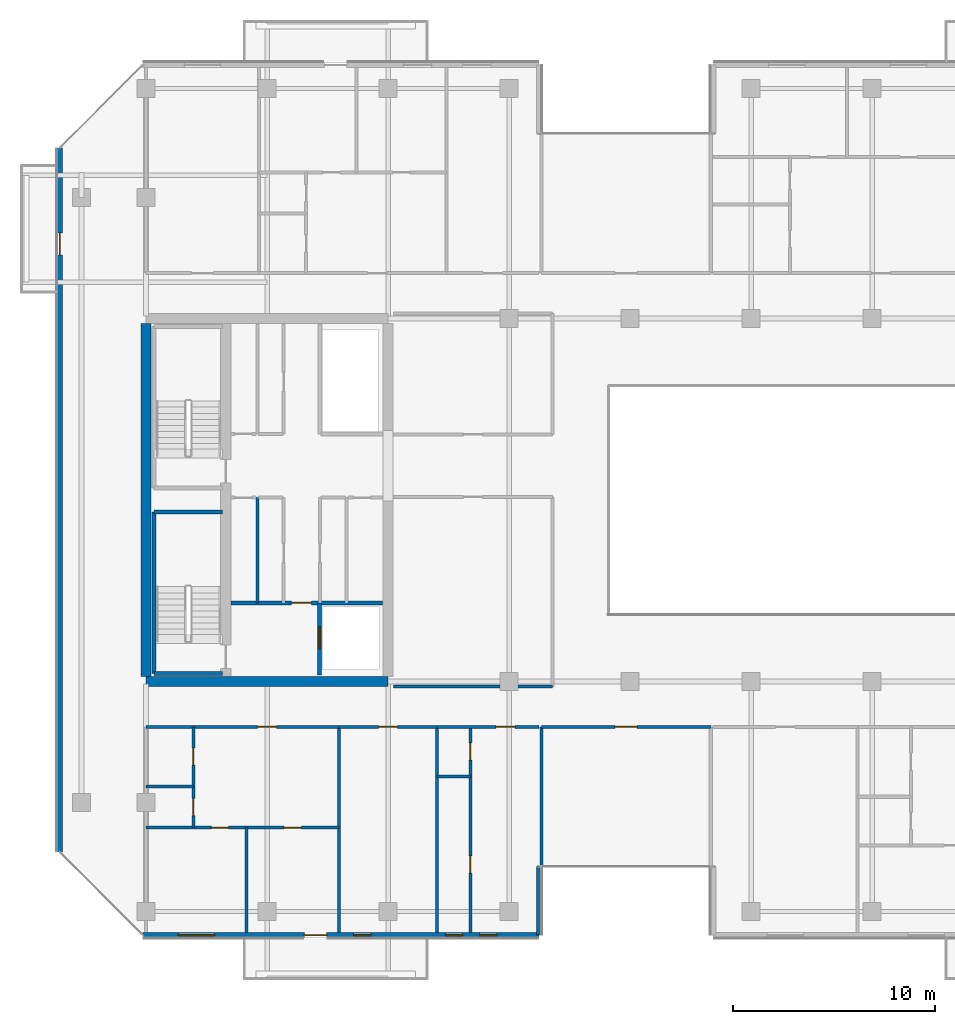
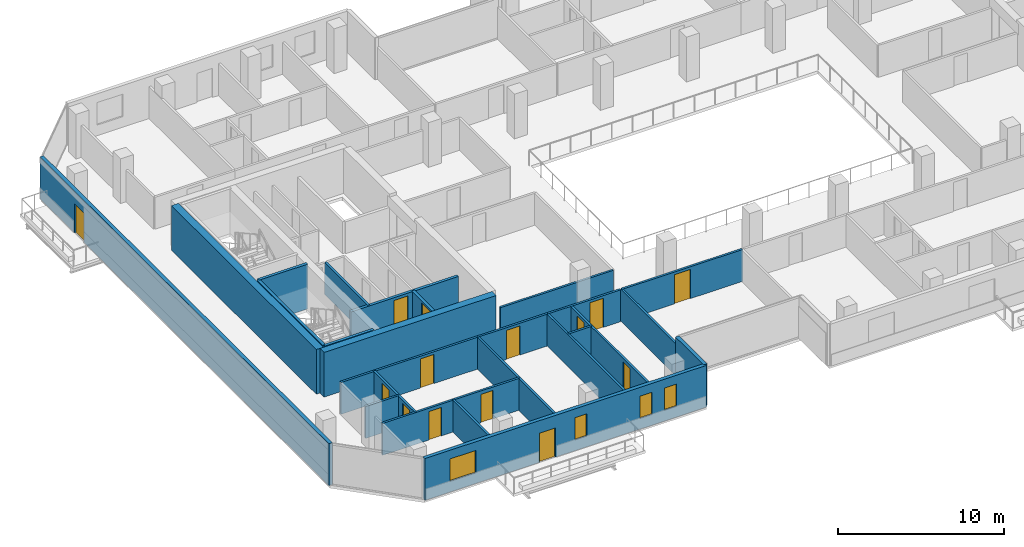
# One storey, part 19 of 29: 25 walls, 14 doors, 4 windows, 18 openings.
"""IFC4 building model written with IfcOpenShell, lengths in metres."""

from ifc_helpers import new_model, si_unit, direction, frame, frame_2d, origin, place, context, subcontext, project, spatial, rectangle, extrude, material, layer, layer_set, type_object, element, fill, save


model = new_model("IFC4")

# Units and contexts
model_context = context("Model", 3, precision=1e-05, world=origin(), true_north=direction((0.0, 1.0)))
body_context = subcontext(model_context, "Body", "Model", "MODEL_VIEW")
ifc_project = project(units=[si_unit("LENGTHUNIT", "METRE"), si_unit("AREAUNIT", "SQUARE_METRE"), si_unit("VOLUMEUNIT", "CUBIC_METRE"), si_unit("PLANEANGLEUNIT", "RADIAN"), si_unit("MASSUNIT", "GRAM", prefix="KILO")], contexts=[model_context])

# Site, building, storey
site_placement = place(None, origin())
site = spatial("IfcSite", under=ifc_project, at=site_placement, CompositionType="ELEMENT")
building_placement = place(site_placement, origin())
building = spatial("IfcBuilding", under=site, at=building_placement, Name="Tanjung Sevakor Pilgrim Tower", CompositionType="ELEMENT")
storey_placement = place(building_placement, frame((0.0, 0.0, 151.800048828125)))
storey = spatial("IfcBuildingStorey", under=building, at=storey_placement, Name="L42", CompositionType="ELEMENT", Elevation=151.800048828125)

# Walls
ifc_material_1 = material(Name="Concrete C60/75", Category="concrete")
ifc_layer_1 = layer(ifc_material_1, 0.5)
ifc_layer_set_1 = layer_set([ifc_layer_1], Name="WALL-CW-500")
wall_type_1 = type_object("IfcWallType", Name="WALL-CW-500", PredefinedType="SHEAR", material=ifc_layer_set_1)
wall_1_placement = place(storey_placement, frame((24.0, 24.60009765625, 0.0), z_axis=(0.0, 0.0, 1.0), x_axis=(1.0, 0.0, 0.0)))
element("IfcWall", 1, at=wall_1_placement, inside=storey, type_object=wall_type_1, Name="L42 W Core South Shear Wall", PredefinedType="SHEAR", context=body_context, shape_type="SweptSolid", body=[
    extrude(rectangle(XDim=12.0, YDim=0.5, at=frame_2d((6.0, 0.0))), origin(), (0.0, 0.0, 1.0), 3.300048828125),
])
wall_2_placement = place(storey_placement, frame((24.0, 24.85009765625, 0.0), z_axis=(0.0, 0.0, 1.0), x_axis=(0.0, 1.0, 0.0)))
element("IfcWall", 2, at=wall_2_placement, inside=storey, type_object=wall_type_1, Name="L42 W Core Outer Shear Wall", PredefinedType="SHEAR", context=body_context, shape_type="SweptSolid", body=[
    extrude(rectangle(XDim=17.5, YDim=0.5, at=frame_2d((8.75, 0.0))), origin(), (0.0, 0.0, 1.0), 3.300048828125),
])
ifc_material_2 = material(Name="Concrete C40/50", Category="concrete")
ifc_layer_2 = layer(ifc_material_2, 0.14990234375)
ifc_layer_set_2 = layer_set([ifc_layer_2], Name="WT-COMP-150")
wall_type_2 = type_object("IfcWallType", Name="WT-COMP-150", PredefinedType="SOLIDWALL", material=ifc_layer_set_2)
wall_3_placement = place(storey_placement, frame((29.52001953125, 28.5, 0.0), z_axis=(0.0, 0.0, 1.0), x_axis=(0.0, 1.0, 0.0)))
element("IfcWall", 3, at=wall_3_placement, inside=storey, type_object=wall_type_2, Name="L42 Partition IW-L42-003", PredefinedType="SOLIDWALL", context=body_context, shape_type="SweptSolid", body=[
    extrude(rectangle(XDim=5.219970703125, YDim=0.14990234375, at=frame_2d((2.60986328125, 0.0))), origin(), (0.0, 0.0, 1.0), 2.35009765625),
])
wall_4_placement = place(storey_placement, frame((36.27001953125, 24.35009765625, 0.0), z_axis=(0.0, 0.0, 1.0), x_axis=(1.0, 0.0, 0.0)))
element("IfcWall", 4, at=wall_4_placement, inside=storey, type_object=wall_type_2, Name="L42 Partition IW-L42-033", PredefinedType="SOLIDWALL", context=body_context, shape_type="SweptSolid", body=[
    extrude(rectangle(XDim=7.8798828125, YDim=0.14990234375, at=frame_2d((3.93994140625, 0.0))), origin(), (0.0, 0.0, 1.0), 2.35009765625),
])

# Wall, opening, door
wall_5_placement = place(storey_placement, frame((43.60009765625, 22.35009765625, 0.0), z_axis=(0.0, 0.0, 1.0), x_axis=(1.0, 0.0, 0.0)))
wall_5 = element("IfcWall", 5, at=wall_5_placement, inside=storey, type_object=wall_type_2, Name="L42 Partition IW-L42-045", PredefinedType="SOLIDWALL", context=body_context, shape_type="SweptSolid", body=[
    extrude(rectangle(XDim=8.39990234375, YDim=0.14990234375, at=frame_2d((4.199951171875, 0.0))), origin(), (0.0, 0.0, 1.0), 2.35009765625),
])
opening_1_placement = place(wall_5_placement, frame((3.64990234375, 0.0, 0.0)))
opening_1 = element("IfcOpeningElement", 6, at=opening_1_placement, cuts=wall_5, Name="Opening ID-RM2", PredefinedType="OPENING", context=body_context, shape_type="SweptSolid", body=[
    extrude(rectangle(XDim=1.10009765625, YDim=2.14990234375, at=frame_2d((0.550048828125, 1.074951171875))), frame((0.0, 0.0849609375, 0.0), z_axis=(0.0, -1.0, 0.0), x_axis=(1.0, 0.0, 0.0)), (0.0, 0.0, 1.0), 0.169921875),
])
ifc_material_3 = material(Name="Hardwood Timber", Category="wood")
door_type_1 = type_object("IfcDoorType", Name="DT-INT-1100", OperationType="NOTDEFINED", PredefinedType="DOOR", material=ifc_material_3)
door_1_placement = place(opening_1_placement, origin())
door_1 = element("IfcDoor", 7, at=door_1_placement, inside=storey, type_object=door_type_1, Name="L42 South Cleft Observatory Door", OperationType="SINGLE_SWING_LEFT", OverallHeight=2.14990234375, OverallWidth=1.10009765625, PredefinedType="DOOR", context=body_context, shape_type="SweptSolid", body=[
    extrude(rectangle(XDim=1.10009765625, YDim=2.14990234375, at=frame_2d((0.550048828125, 1.074951171875))), frame((0.0, 0.02490234375, 0.0), z_axis=(0.0, -1.0, 0.0), x_axis=(1.0, 0.0, 0.0)), (0.0, 0.0, 1.0), 0.050048828125),
])
fill(opening_1, door_1)

# Walls
for number, where, z_axis, x_axis, name in (
    (8, (43.60009765625, 12.14990234375, 0.0), (0.0, 0.0, 1.0), (0.0, 1.0, 0.0), "L42 Partition IW-L42-046"),
    (9, (33.566162109375, 12.14990234375, 0.0), (0.0, 0.0, 1.0), (0.0, 1.0, 0.0), "L42 Partition IW-L42-052"),
):
    element("IfcWall", number, at=place(storey_placement, frame(where, z_axis=z_axis, x_axis=x_axis)), inside=storey, type_object=wall_type_2, Name=name, PredefinedType="SOLIDWALL", context=body_context, shape_type="SweptSolid", body=[
        extrude(rectangle(XDim=10.2001953125, YDim=0.14990234375, at=frame_2d((5.10009765625, 0.0))), origin(), (0.0, 0.0, 1.0), 2.35009765625),
    ])

# Wall, opening, door
wall_6_placement = place(storey_placement, frame((24.0, 22.35009765625, 0.0), z_axis=(0.0, 0.0, 1.0), x_axis=(1.0, 0.0, 0.0)))
wall_6 = element("IfcWall", 10, at=wall_6_placement, inside=storey, type_object=wall_type_2, Name="L42 Partition IW-L42-057", PredefinedType="SOLIDWALL", context=body_context, shape_type="SweptSolid", body=[
    extrude(rectangle(XDim=9.566162109375, YDim=0.14990234375, at=frame_2d((4.783203125, 0.0))), origin(), (0.0, 0.0, 1.0), 2.35009765625),
])
opening_2_placement = place(wall_6_placement, frame((5.523193359375, 0.0, 0.0)))
opening_2 = element("IfcOpeningElement", 11, at=opening_2_placement, cuts=wall_6, Name="Opening ID-FD2", PredefinedType="OPENING", context=body_context, shape_type="SweptSolid", body=[
    extrude(rectangle(XDim=0.949951171875, YDim=2.14990234375, at=frame_2d((0.47509765625, 1.074951171875))), frame((0.0, 0.0849609375, 0.0), z_axis=(0.0, -1.0, 0.0), x_axis=(1.0, 0.0, 0.0)), (0.0, 0.0, 1.0), 0.169921875),
])
ifc_material_4 = material(Name="Fire-Rated Timber", Category="wood")
door_type_2 = type_object("IfcDoorType", Name="DT-FIRE-950", OperationType="NOTDEFINED", PredefinedType="DOOR", material=ifc_material_4)
door_2_placement = place(opening_2_placement, origin())
door_2 = element("IfcDoor", 12, at=door_2_placement, inside=storey, type_object=door_type_2, Name="Suite Entrance", OperationType="SINGLE_SWING_LEFT", OverallHeight=2.14990234375, OverallWidth=0.949951171875, PredefinedType="DOOR", context=body_context, shape_type="SweptSolid", body=[
    extrude(rectangle(XDim=0.949951171875, YDim=2.14990234375, at=frame_2d((0.47509765625, 1.074951171875))), frame((0.0, 0.02490234375, 0.0), z_axis=(0.0, -1.0, 0.0), x_axis=(1.0, 0.0, 0.0)), (0.0, 0.0, 1.0), 0.050048828125),
])
fill(opening_2, door_2)

# Wall
wall_7_placement = place(storey_placement, frame((38.43603515625, 12.14990234375, 0.0), z_axis=(0.0, 0.0, 1.0), x_axis=(0.0, 1.0, 0.0)))
element("IfcWall", 13, at=wall_7_placement, inside=storey, type_object=wall_type_2, Name="L42 Partition IW-L42-058", PredefinedType="SOLIDWALL", context=body_context, shape_type="SweptSolid", body=[
    extrude(rectangle(XDim=10.2001953125, YDim=0.14990234375, at=frame_2d((5.10009765625, 0.0))), origin(), (0.0, 0.0, 1.0), 2.35009765625),
])

# Wall, opening, door
wall_8_placement = place(storey_placement, frame((33.566162109375, 22.35009765625, 0.0), z_axis=(0.0, 0.0, 1.0), x_axis=(1.0, 0.0, 0.0)))
wall_8 = element("IfcWall", 14, at=wall_8_placement, inside=storey, type_object=wall_type_2, Name="L42 Partition IW-L42-059", PredefinedType="SOLIDWALL", context=body_context, shape_type="SweptSolid", body=[
    extrude(rectangle(XDim=4.869873046875, YDim=0.14990234375, at=frame_2d((2.43505859375, 0.0))), origin(), (0.0, 0.0, 1.0), 2.35009765625),
])
opening_3_placement = place(wall_8_placement, frame((1.9599609375, 0.0, 0.0)))
opening_3 = element("IfcOpeningElement", 15, at=opening_3_placement, cuts=wall_8, Name="Opening ID-FD2", PredefinedType="OPENING", context=body_context, shape_type="SweptSolid", body=[
    extrude(rectangle(XDim=0.949951171875, YDim=2.14990234375, at=frame_2d((0.47509765625, 1.074951171875))), frame((0.0, 0.0849609375, 0.0), z_axis=(0.0, -1.0, 0.0), x_axis=(1.0, 0.0, 0.0)), (0.0, 0.0, 1.0), 0.169921875),
])
door_3_placement = place(opening_3_placement, origin())
door_3 = element("IfcDoor", 16, at=door_3_placement, inside=storey, type_object=door_type_2, Name="Study Room Entrance", OperationType="SINGLE_SWING_RIGHT", OverallHeight=2.14990234375, OverallWidth=0.949951171875, PredefinedType="DOOR", context=body_context, shape_type="SweptSolid", body=[
    extrude(rectangle(XDim=0.949951171875, YDim=2.14990234375, at=frame_2d((0.47509765625, 1.074951171875))), frame((0.0, 0.02490234375, 0.0), z_axis=(0.0, -1.0, 0.0), x_axis=(1.0, 0.0, 0.0)), (0.0, 0.0, 1.0), 0.050048828125),
])
fill(opening_3, door_3)

wall_9_placement = place(storey_placement, frame((38.43603515625, 22.35009765625, 0.0), z_axis=(0.0, 0.0, 1.0), x_axis=(1.0, 0.0, 0.0)))
wall_9 = element("IfcWall", 17, at=wall_9_placement, inside=storey, type_object=wall_type_2, Name="L42 Partition IW-L42-062", PredefinedType="SOLIDWALL", context=body_context, shape_type="SweptSolid", body=[
    extrude(rectangle(XDim=5.0439453125, YDim=0.14990234375, at=frame_2d((2.52197265625, 0.0))), origin(), (0.0, 0.0, 1.0), 2.35009765625),
])
opening_4_placement = place(wall_9_placement, frame((2.908935546875, 0.0, 0.0)))
opening_4 = element("IfcOpeningElement", 18, at=opening_4_placement, cuts=wall_9, Name="Opening ID-FD2", PredefinedType="OPENING", context=body_context, shape_type="SweptSolid", body=[
    extrude(rectangle(XDim=0.949951171875, YDim=2.14990234375, at=frame_2d((0.47509765625, 1.074951171875))), frame((0.0, 0.0849609375, 0.0), z_axis=(0.0, -1.0, 0.0), x_axis=(1.0, 0.0, 0.0)), (0.0, 0.0, 1.0), 0.169921875),
])
door_4_placement = place(opening_4_placement, origin())
door_4 = element("IfcDoor", 19, at=door_4_placement, inside=storey, type_object=door_type_2, Name="Hostel Quad Entrance", OperationType="SINGLE_SWING_LEFT", OverallHeight=2.14990234375, OverallWidth=0.949951171875, PredefinedType="DOOR", context=body_context, shape_type="SweptSolid", body=[
    extrude(rectangle(XDim=0.949951171875, YDim=2.14990234375, at=frame_2d((0.47509765625, 1.074951171875))), frame((0.0, 0.02490234375, 0.0), z_axis=(0.0, -1.0, 0.0), x_axis=(1.0, 0.0, 0.0)), (0.0, 0.0, 1.0), 0.050048828125),
])
fill(opening_4, door_4)

# Wall, openings, door, windows
ifc_material_5 = material(Name="Precast concrete C45/55", Category="concrete")
ifc_layer_3 = layer(ifc_material_5, 0.25)
ifc_layer_set_3 = layer_set([ifc_layer_3], Name="WT-EW-STN3")
wall_type_3 = type_object("IfcWallType", Name="WT-EW-STN3", PredefinedType="SOLIDWALL", material=ifc_layer_set_3)
wall_10_placement = place(storey_placement, frame((23.851806640625, 12.02490234375, 0.0), z_axis=(0.0, 0.0, 1.0), x_axis=(1.0, 0.0, 0.0)))
wall_10 = element("IfcWall", 20, at=wall_10_placement, inside=storey, type_object=wall_type_3, Name="L42 MAIN Exterior Wall 1", PredefinedType="SOLIDWALL", context=body_context, shape_type="SweptSolid", body=[
    extrude(rectangle(XDim=19.623291015625, YDim=0.25, at=frame_2d((9.8115234375, 0.0))), origin(), (0.0, 0.0, 1.0), 3.080078125),
])
opening_5_placement = place(wall_10_placement, frame((7.998291015625, 0.0, 0.0)))
opening_5 = element("IfcOpeningElement", 21, at=opening_5_placement, cuts=wall_10, Name="Opening ED-BAL-1100", PredefinedType="OPENING", context=body_context, shape_type="SweptSolid", body=[
    extrude(rectangle(XDim=1.10009765625, YDim=2.14990234375, at=frame_2d((0.550048828125, 1.074951171875))), frame((0.0, 0.135009765625, 0.0), z_axis=(0.0, -1.0, 0.0), x_axis=(1.0, 0.0, 0.0)), (0.0, 0.0, 1.0), 0.27001953125),
])
opening_6_placement = place(wall_10_placement, frame((1.745361328125, 0.0, 0.780029296875)))
opening_6 = element("IfcOpeningElement", 22, at=opening_6_placement, cuts=wall_10, Name="Opening WN-Z3-1660", PredefinedType="OPENING", context=body_context, shape_type="SweptSolid", body=[
    extrude(rectangle(XDim=1.800048828125, YDim=1.659912109375, at=frame_2d((0.89990234375, 0.830078125))), frame((0.0, 0.135009765625, 0.0), z_axis=(0.0, -1.0, 0.0), x_axis=(1.0, 0.0, 0.0)), (0.0, 0.0, 1.0), 0.27001953125),
])
opening_7_placement = place(wall_10_placement, frame((10.4443359375, 0.0, 0.780029296875)))
opening_7 = element("IfcOpeningElement", 23, at=opening_7_placement, cuts=wall_10, Name="Opening WN-SLM", PredefinedType="OPENING", context=body_context, shape_type="SweptSolid", body=[
    extrude(rectangle(XDim=0.85009765625, YDim=1.64990234375, at=frame_2d((0.425048828125, 0.824951171875))), frame((0.0, 0.135009765625, 0.0), z_axis=(0.0, -1.0, 0.0), x_axis=(1.0, 0.0, 0.0)), (0.0, 0.0, 1.0), 0.27001953125),
])
opening_8_placement = place(wall_10_placement, frame((14.9912109375, 0.0, 0.780029296875)))
opening_8 = element("IfcOpeningElement", 24, at=opening_8_placement, cuts=wall_10, Name="Opening WN-SLM", PredefinedType="OPENING", context=body_context, shape_type="SweptSolid", body=[
    extrude(rectangle(XDim=0.85009765625, YDim=1.64990234375, at=frame_2d((0.425048828125, 0.824951171875))), frame((0.0, 0.135009765625, 0.0), z_axis=(0.0, -1.0, 0.0), x_axis=(1.0, 0.0, 0.0)), (0.0, 0.0, 1.0), 0.27001953125),
])
opening_9_placement = place(wall_10_placement, frame((16.693115234375, 0.0, 0.780029296875)))
opening_9 = element("IfcOpeningElement", 25, at=opening_9_placement, cuts=wall_10, Name="Opening WN-SLM", PredefinedType="OPENING", context=body_context, shape_type="SweptSolid", body=[
    extrude(rectangle(XDim=0.85009765625, YDim=1.64990234375, at=frame_2d((0.425048828125, 0.824951171875))), frame((0.0, 0.135009765625, 0.0), z_axis=(0.0, -1.0, 0.0), x_axis=(1.0, 0.0, 0.0)), (0.0, 0.0, 1.0), 0.27001953125),
])
ifc_material_6 = material(Name="Anodised Aluminium and Laminated Glass", Category="aluminium")
door_type_3 = type_object("IfcDoorType", Name="DTYP-ED-BAL-1100", OperationType="NOTDEFINED", PredefinedType="DOOR", material=ifc_material_6)
door_5_placement = place(opening_5_placement, frame((1.10009765625, 0.0, 0.0), z_axis=(0.0, 0.0, 1.0), x_axis=(-1.0, 0.0, 0.0)))
door_5 = element("IfcDoor", 26, at=door_5_placement, inside=storey, type_object=door_type_3, Name="L42 Balcony Door MAIN-S1", OperationType="SINGLE_SWING_RIGHT", OverallHeight=2.14990234375, OverallWidth=1.10009765625, PredefinedType="DOOR", context=body_context, shape_type="SweptSolid", body=[
    extrude(rectangle(XDim=1.10009765625, YDim=2.14990234375, at=frame_2d((0.550048828125, 1.074951171875))), frame((0.0, 0.02490234375, 0.0), z_axis=(0.0, -1.0, 0.0), x_axis=(1.0, 0.0, 0.0)), (0.0, 0.0, 1.0), 0.050048828125),
])
fill(opening_5, door_5)
ifc_material_7 = material(Name="Thermally Broken Aluminium and Low-E Glass", Category="aluminium")
window_type_1 = type_object("IfcWindowType", Name="WTYP-WN-SLM", PartitioningType="SINGLE_PANEL", PredefinedType="WINDOW", material=ifc_material_7)
window_1_placement = place(opening_7_placement, origin())
window_1 = element("IfcWindow", 27, at=window_1_placement, inside=storey, type_object=window_type_1, Name="L42 Facade Window 02", OverallHeight=1.64990234375, OverallWidth=0.85009765625, PartitioningType="SINGLE_PANEL", PredefinedType="WINDOW", context=body_context, shape_type="SweptSolid", body=[
    extrude(rectangle(XDim=0.85009765625, YDim=1.64990234375, at=frame_2d((0.425048828125, 0.824951171875))), frame((0.0, 0.030029296875, 0.0), z_axis=(0.0, -1.0, 0.0), x_axis=(1.0, 0.0, 0.0)), (0.0, 0.0, 1.0), 0.06005859375),
])
fill(opening_7, window_1)
window_2_placement = place(opening_8_placement, origin())
window_2 = element("IfcWindow", 28, at=window_2_placement, inside=storey, type_object=window_type_1, Name="L42 Facade Window 03", OverallHeight=1.64990234375, OverallWidth=0.85009765625, PartitioningType="SINGLE_PANEL", PredefinedType="WINDOW", context=body_context, shape_type="SweptSolid", body=[
    extrude(rectangle(XDim=0.85009765625, YDim=1.64990234375, at=frame_2d((0.425048828125, 0.824951171875))), frame((0.0, 0.030029296875, 0.0), z_axis=(0.0, -1.0, 0.0), x_axis=(1.0, 0.0, 0.0)), (0.0, 0.0, 1.0), 0.06005859375),
])
fill(opening_8, window_2)
window_3_placement = place(opening_9_placement, origin())
window_3 = element("IfcWindow", 29, at=window_3_placement, inside=storey, type_object=window_type_1, Name="L42 Facade Window 04", OverallHeight=1.64990234375, OverallWidth=0.85009765625, PartitioningType="SINGLE_PANEL", PredefinedType="WINDOW", context=body_context, shape_type="SweptSolid", body=[
    extrude(rectangle(XDim=0.85009765625, YDim=1.64990234375, at=frame_2d((0.425048828125, 0.824951171875))), frame((0.0, 0.030029296875, 0.0), z_axis=(0.0, -1.0, 0.0), x_axis=(1.0, 0.0, 0.0)), (0.0, 0.0, 1.0), 0.06005859375),
])
fill(opening_9, window_3)
ifc_material_8 = material(Name="Thermally Broken Aluminium and Low-E Glass", Category="aluminium")
window_type_2 = type_object("IfcWindowType", Name="WTYP-WN-Z3-1660", PartitioningType="DOUBLE_PANEL_VERTICAL", PredefinedType="WINDOW", material=ifc_material_8)
window_4_placement = place(opening_6_placement, origin())
window_4 = element("IfcWindow", 30, at=window_4_placement, inside=storey, type_object=window_type_2, Name="L42 Facade Window 01", OverallHeight=1.659912109375, OverallWidth=1.800048828125, PartitioningType="SINGLE_PANEL", PredefinedType="WINDOW", context=body_context, shape_type="SweptSolid", body=[
    extrude(rectangle(XDim=1.800048828125, YDim=1.659912109375, at=frame_2d((0.89990234375, 0.830078125))), frame((0.0, 0.030029296875, 0.0), z_axis=(0.0, -1.0, 0.0), x_axis=(1.0, 0.0, 0.0)), (0.0, 0.0, 1.0), 0.06005859375),
])
fill(opening_6, window_4)

# Wall
wall_11_placement = place(storey_placement, frame((43.47509765625, 12.02490234375, 0.0), z_axis=(0.0, 0.0, 1.0), x_axis=(0.0, 1.0, 0.0)))
element("IfcWall", 31, at=wall_11_placement, inside=storey, type_object=wall_type_3, Name="L42 MAIN Exterior Wall 2", PredefinedType="SOLIDWALL", context=body_context, shape_type="SweptSolid", body=[
    extrude(rectangle(XDim=3.400146484375, YDim=0.25, at=frame_2d((1.7001953125, 0.0))), origin(), (0.0, 0.0, 1.0), 3.080078125),
])

# Wall, opening, door
wall_12_placement = place(storey_placement, frame((19.72509765625, 51.048095703125, 0.0), z_axis=(0.0, 0.0, 1.0), x_axis=(0.0, -1.0, 0.0)))
wall_12 = element("IfcWall", 32, at=wall_12_placement, inside=storey, type_object=wall_type_3, Name="L42 MAIN Exterior Wall 15", PredefinedType="SOLIDWALL", context=body_context, shape_type="SweptSolid", body=[
    extrude(rectangle(XDim=34.896240234375, YDim=0.25, at=frame_2d((17.4482421875, 0.0))), origin(), (0.0, 0.0, 1.0), 3.080078125),
])
opening_10_placement = place(wall_12_placement, frame((4.1982421875, 0.0, 0.0)))
opening_10 = element("IfcOpeningElement", 33, at=opening_10_placement, cuts=wall_12, Name="Opening ED-BAL-1100", PredefinedType="OPENING", context=body_context, shape_type="SweptSolid", body=[
    extrude(rectangle(XDim=1.10009765625, YDim=2.14990234375, at=frame_2d((0.550048828125, 1.074951171875))), frame((0.0, 0.135009765625, 0.0), z_axis=(0.0, -1.0, 0.0), x_axis=(1.0, 0.0, 0.0)), (0.0, 0.0, 1.0), 0.27001953125),
])
door_6_placement = place(opening_10_placement, frame((1.10009765625, 0.0, 0.0), z_axis=(0.0, 0.0, 1.0), x_axis=(-1.0, 0.0, 0.0)))
door_6 = element("IfcDoor", 34, at=door_6_placement, inside=storey, type_object=door_type_3, Name="L42 West Loggia Door MAIN-W1", OperationType="SINGLE_SWING_LEFT", OverallHeight=2.14990234375, OverallWidth=1.10009765625, PredefinedType="DOOR", context=body_context, shape_type="SweptSolid", body=[
    extrude(rectangle(XDim=1.10009765625, YDim=2.14990234375, at=frame_2d((0.550048828125, 1.074951171875))), frame((0.0, 0.02490234375, 0.0), z_axis=(0.0, -1.0, 0.0), x_axis=(1.0, 0.0, 0.0)), (0.0, 0.0, 1.0), 0.050048828125),
])
fill(opening_10, door_6)

# Walls
ifc_material_9 = material(Name="Concrete C40/50", Category="concrete")
ifc_layer_4 = layer(ifc_material_9, 0.199951171875)
ifc_layer_set_4 = layer_set([ifc_layer_4], Name="WT-FIRE-200")
wall_type_4 = type_object("IfcWallType", Name="WT-FIRE-200", PredefinedType="SOLIDWALL", material=ifc_layer_set_4)
for number, where, z_axis, x_axis, name in (
    (35, (24.39990234375, 25.0, 0.0), (0.0, 0.0, 1.0), (1.0, 0.0, 0.0), "L42 TS-W1 Shaft Wall 1"),
    (36, (27.800048828125, 33.0, 0.0), (0.0, 0.0, 1.0), (-1.0, 0.0, 0.0), "L42 TS-W1 Shaft Wall 2"),
):
    element("IfcWall", number, at=place(storey_placement, frame(where, z_axis=z_axis, x_axis=x_axis)), inside=storey, type_object=wall_type_4, Name=name, PredefinedType="SOLIDWALL", context=body_context, shape_type="SweptSolid", body=[
        extrude(rectangle(XDim=3.400146484375, YDim=0.199951171875, at=frame_2d((1.7001953125, 0.0))), origin(), (0.0, 0.0, 1.0), 3.300048828125),
    ])
wall_13_placement = place(storey_placement, frame((24.39990234375, 33.0, 0.0), z_axis=(0.0, 0.0, 1.0), x_axis=(0.0, -1.0, 0.0)))
element("IfcWall", 37, at=wall_13_placement, inside=storey, type_object=wall_type_4, Name="L42 TS-W1 Shaft Wall 3", PredefinedType="SOLIDWALL", context=body_context, shape_type="SweptSolid", body=[
    extrude(rectangle(XDim=8.0, YDim=0.199951171875, at=frame_2d((4.0, 0.0))), origin(), (0.0, 0.0, 1.0), 3.300048828125),
])

# Wall, opening, door
ifc_material_10 = material(Name="Concrete C40/50", Category="concrete")
ifc_layer_5 = layer(ifc_material_10, 0.199951171875)
ifc_layer_set_5 = layer_set([ifc_layer_5], Name="WT-FPRT-200")
wall_type_5 = type_object("IfcWallType", Name="WT-FPRT-200", PredefinedType="SOLIDWALL", material=ifc_layer_set_5)
wall_14_placement = place(storey_placement, frame((32.60009765625, 24.919921875, 0.0), z_axis=(0.0, 0.0, 1.0), x_axis=(0.0, 1.0, 0.0)))
wall_14 = element("IfcWall", 38, at=wall_14_placement, inside=storey, type_object=wall_type_5, Name="L42 Partition IW-L42-001", PredefinedType="SOLIDWALL", context=body_context, shape_type="SweptSolid", body=[
    extrude(rectangle(XDim=3.580078125, YDim=0.199951171875, at=frame_2d((1.7900390625, 0.0))), origin(), (0.0, 0.0, 1.0), 2.35009765625),
])
opening_11_placement = place(wall_14_placement, frame((1.300048828125, 0.0, 0.0)))
opening_11 = element("IfcOpeningElement", 39, at=opening_11_placement, cuts=wall_14, Name="Opening LD-1100", PredefinedType="OPENING", context=body_context, shape_type="SweptSolid", body=[
    extrude(rectangle(XDim=1.10009765625, YDim=2.199951171875, at=frame_2d((0.550048828125, 1.10009765625))), frame((0.0, 0.10986328125, 0.0), z_axis=(0.0, -1.0, 0.0), x_axis=(1.0, 0.0, 0.0)), (0.0, 0.0, 1.0), 0.219970703125),
])
ifc_material_11 = material(Name="Brushed Stainless Steel S355J2", Category="steel")
door_type_4 = type_object("IfcDoorType", Name="DT-LIFT-1100", OperationType="SLIDING_TO_LEFT", PredefinedType="DOOR", material=ifc_material_11)
door_7_placement = place(opening_11_placement, origin())
door_7 = element("IfcDoor", 40, at=door_7_placement, inside=storey, type_object=door_type_4, Name="LD-FL-W", OperationType="SLIDING_TO_LEFT", OverallHeight=2.199951171875, OverallWidth=1.10009765625, PredefinedType="DOOR", context=body_context, shape_type="SweptSolid", body=[
    extrude(rectangle(XDim=1.10009765625, YDim=2.199951171875, at=frame_2d((0.550048828125, 1.10009765625))), frame((0.0, 0.02490234375, 0.0), z_axis=(0.0, -1.0, 0.0), x_axis=(1.0, 0.0, 0.0)), (0.0, 0.0, 1.0), 0.050048828125),
])
fill(opening_11, door_7)

wall_15_placement = place(storey_placement, frame((28.219970703125, 28.5, 0.0), z_axis=(0.0, 0.0, 1.0), x_axis=(1.0, 0.0, 0.0)))
wall_15 = element("IfcWall", 41, at=wall_15_placement, inside=storey, type_object=wall_type_5, Name="L42 Partition IW-L42-002", PredefinedType="SOLIDWALL", context=body_context, shape_type="SweptSolid", body=[
    extrude(rectangle(XDim=7.510009765625, YDim=0.199951171875, at=frame_2d((3.7548828125, 0.0))), origin(), (0.0, 0.0, 1.0), 2.35009765625),
])
opening_12_placement = place(wall_15_placement, frame((2.97998046875, 0.0, 0.0)))
opening_12 = element("IfcOpeningElement", 42, at=opening_12_placement, cuts=wall_15, Name="Opening ID-FD1", PredefinedType="OPENING", context=body_context, shape_type="SweptSolid", body=[
    extrude(rectangle(XDim=1.0, YDim=2.14990234375, at=frame_2d((0.5, 1.074951171875))), frame((0.0, 0.10986328125, 0.0), z_axis=(0.0, -1.0, 0.0), x_axis=(1.0, 0.0, 0.0)), (0.0, 0.0, 1.0), 0.219970703125),
])
ifc_material_12 = material(Name="Fire-Rated Steel S355J2", Category="steel")
door_type_5 = type_object("IfcDoorType", Name="DT-FIRE-1000", OperationType="NOTDEFINED", PredefinedType="DOOR", material=ifc_material_12)
door_8_placement = place(opening_12_placement, origin())
door_8 = element("IfcDoor", 43, at=door_8_placement, inside=storey, type_object=door_type_5, Name="Fire Lobby Door W", OperationType="SINGLE_SWING_RIGHT", OverallHeight=2.14990234375, OverallWidth=1.0, PredefinedType="DOOR", context=body_context, shape_type="SweptSolid", body=[
    extrude(rectangle(XDim=1.0, YDim=2.14990234375, at=frame_2d((0.5, 1.074951171875))), frame((0.0, 0.02490234375, 0.0), z_axis=(0.0, -1.0, 0.0), x_axis=(1.0, 0.0, 0.0)), (0.0, 0.0, 1.0), 0.050048828125),
])
fill(opening_12, door_8)

# Wall
ifc_material_13 = material(Name="Gypsum Board Partition", Category="gypsum board")
ifc_layer_6 = layer(ifc_material_13, 0.14990234375)
ifc_layer_set_6 = layer_set([ifc_layer_6], Name="WT-PART-150")
wall_type_6 = type_object("IfcWallType", Name="WT-PART-150", PredefinedType="PARTITIONING", material=ifc_layer_set_6)
wall_16_placement = place(storey_placement, frame((24.0, 19.39990234375, 0.0), z_axis=(0.0, 0.0, 1.0), x_axis=(1.0, 0.0, 0.0)))
element("IfcWall", 44, at=wall_16_placement, inside=storey, type_object=wall_type_6, Name="L42 Partition IW-L42-053", PredefinedType="PARTITIONING", context=body_context, shape_type="SweptSolid", body=[
    extrude(rectangle(XDim=2.35009765625, YDim=0.14990234375, at=frame_2d((1.175048828125, 0.0))), origin(), (0.0, 0.0, 1.0), 2.35009765625),
])

# Wall, openings, doors
wall_17_placement = place(storey_placement, frame((26.35009765625, 17.35009765625, 0.0), z_axis=(0.0, 0.0, 1.0), x_axis=(0.0, 1.0, 0.0)))
wall_17 = element("IfcWall", 45, at=wall_17_placement, inside=storey, type_object=wall_type_6, Name="L42 Partition IW-L42-054", PredefinedType="PARTITIONING", context=body_context, shape_type="SweptSolid", body=[
    extrude(rectangle(XDim=5.0, YDim=0.14990234375, at=frame_2d((2.5, 0.0))), origin(), (0.0, 0.0, 1.0), 2.35009765625),
])
opening_13_placement = place(wall_17_placement, frame((0.60009765625, 0.0, 0.0)))
opening_13 = element("IfcOpeningElement", 46, at=opening_13_placement, cuts=wall_17, Name="Opening ID-WC1", PredefinedType="OPENING", context=body_context, shape_type="SweptSolid", body=[
    extrude(rectangle(XDim=0.85009765625, YDim=2.10009765625, at=frame_2d((0.425048828125, 1.050048828125))), frame((0.0, 0.0849609375, 0.0), z_axis=(0.0, -1.0, 0.0), x_axis=(1.0, 0.0, 0.0)), (0.0, 0.0, 1.0), 0.169921875),
])
opening_14_placement = place(wall_17_placement, frame((3.10009765625, 0.0, 0.0)))
opening_14 = element("IfcOpeningElement", 47, at=opening_14_placement, cuts=wall_17, Name="Opening ID-WC1", PredefinedType="OPENING", context=body_context, shape_type="SweptSolid", body=[
    extrude(rectangle(XDim=0.85009765625, YDim=2.10009765625, at=frame_2d((0.425048828125, 1.050048828125))), frame((0.0, 0.0849609375, 0.0), z_axis=(0.0, -1.0, 0.0), x_axis=(1.0, 0.0, 0.0)), (0.0, 0.0, 1.0), 0.169921875),
])
ifc_material_14 = material(Name="Moisture-Resistant Timber", Category="wood")
door_type_6 = type_object("IfcDoorType", Name="DT-INT-850", OperationType="NOTDEFINED", PredefinedType="DOOR", material=ifc_material_14)
door_9_placement = place(opening_13_placement, origin())
door_9 = element("IfcDoor", 48, at=door_9_placement, inside=storey, type_object=door_type_6, Name="Suite Bathroom Door", OperationType="SINGLE_SWING_LEFT", OverallHeight=2.10009765625, OverallWidth=0.85009765625, PredefinedType="DOOR", context=body_context, shape_type="SweptSolid", body=[
    extrude(rectangle(XDim=0.85009765625, YDim=2.10009765625, at=frame_2d((0.425048828125, 1.050048828125))), frame((0.0, 0.02490234375, 0.0), z_axis=(0.0, -1.0, 0.0), x_axis=(1.0, 0.0, 0.0)), (0.0, 0.0, 1.0), 0.050048828125),
])
fill(opening_13, door_9)
door_10_placement = place(opening_14_placement, origin())
door_10 = element("IfcDoor", 49, at=door_10_placement, inside=storey, type_object=door_type_6, Name="Suite Kitchenette Door", OperationType="SINGLE_SWING_RIGHT", OverallHeight=2.10009765625, OverallWidth=0.85009765625, PredefinedType="DOOR", context=body_context, shape_type="SweptSolid", body=[
    extrude(rectangle(XDim=0.85009765625, YDim=2.10009765625, at=frame_2d((0.425048828125, 1.050048828125))), frame((0.0, 0.02490234375, 0.0), z_axis=(0.0, -1.0, 0.0), x_axis=(1.0, 0.0, 0.0)), (0.0, 0.0, 1.0), 0.050048828125),
])
fill(opening_14, door_10)

# Wall
wall_18_placement = place(storey_placement, frame((28.974365234375, 12.14990234375, 0.0), z_axis=(0.0, 0.0, 1.0), x_axis=(0.0, 1.0, 0.0)))
element("IfcWall", 50, at=wall_18_placement, inside=storey, type_object=wall_type_6, Name="L42 Partition IW-L42-055", PredefinedType="PARTITIONING", context=body_context, shape_type="SweptSolid", body=[
    extrude(rectangle(XDim=5.2001953125, YDim=0.14990234375, at=frame_2d((2.60009765625, 0.0))), origin(), (0.0, 0.0, 1.0), 2.35009765625),
])

# Wall, openings, doors
wall_19_placement = place(storey_placement, frame((24.0, 17.35009765625, 0.0), z_axis=(0.0, 0.0, 1.0), x_axis=(1.0, 0.0, 0.0)))
wall_19 = element("IfcWall", 51, at=wall_19_placement, inside=storey, type_object=wall_type_6, Name="L42 Partition IW-L42-056", PredefinedType="PARTITIONING", context=body_context, shape_type="SweptSolid", body=[
    extrude(rectangle(XDim=9.566162109375, YDim=0.14990234375, at=frame_2d((4.783203125, 0.0))), origin(), (0.0, 0.0, 1.0), 2.35009765625),
])
opening_15_placement = place(wall_19_placement, frame((3.2373046875, 0.0, 0.0)))
opening_15 = element("IfcOpeningElement", 52, at=opening_15_placement, cuts=wall_19, Name="Opening ID-WC1", PredefinedType="OPENING", context=body_context, shape_type="SweptSolid", body=[
    extrude(rectangle(XDim=0.85009765625, YDim=2.10009765625, at=frame_2d((0.425048828125, 1.050048828125))), frame((0.0, 0.0849609375, 0.0), z_axis=(0.0, -1.0, 0.0), x_axis=(1.0, 0.0, 0.0)), (0.0, 0.0, 1.0), 0.169921875),
])
opening_16_placement = place(wall_19_placement, frame((6.84521484375, 0.0, 0.0)))
opening_16 = element("IfcOpeningElement", 53, at=opening_16_placement, cuts=wall_19, Name="Opening ID-WC1", PredefinedType="OPENING", context=body_context, shape_type="SweptSolid", body=[
    extrude(rectangle(XDim=0.85009765625, YDim=2.10009765625, at=frame_2d((0.425048828125, 1.050048828125))), frame((0.0, 0.0849609375, 0.0), z_axis=(0.0, -1.0, 0.0), x_axis=(1.0, 0.0, 0.0)), (0.0, 0.0, 1.0), 0.169921875),
])
door_11_placement = place(opening_15_placement, origin())
door_11 = element("IfcDoor", 54, at=door_11_placement, inside=storey, type_object=door_type_6, Name="Suite Bedroom 1 Door", OperationType="SINGLE_SWING_LEFT", OverallHeight=2.10009765625, OverallWidth=0.85009765625, PredefinedType="DOOR", context=body_context, shape_type="SweptSolid", body=[
    extrude(rectangle(XDim=0.85009765625, YDim=2.10009765625, at=frame_2d((0.425048828125, 1.050048828125))), frame((0.0, 0.02490234375, 0.0), z_axis=(0.0, -1.0, 0.0), x_axis=(1.0, 0.0, 0.0)), (0.0, 0.0, 1.0), 0.050048828125),
])
fill(opening_15, door_11)
door_12_placement = place(opening_16_placement, origin())
door_12 = element("IfcDoor", 55, at=door_12_placement, inside=storey, type_object=door_type_6, Name="Suite Bedroom 2 Door", OperationType="SINGLE_SWING_RIGHT", OverallHeight=2.10009765625, OverallWidth=0.85009765625, PredefinedType="DOOR", context=body_context, shape_type="SweptSolid", body=[
    extrude(rectangle(XDim=0.85009765625, YDim=2.10009765625, at=frame_2d((0.425048828125, 1.050048828125))), frame((0.0, 0.02490234375, 0.0), z_axis=(0.0, -1.0, 0.0), x_axis=(1.0, 0.0, 0.0)), (0.0, 0.0, 1.0), 0.050048828125),
])
fill(opening_16, door_12)

# Wall
wall_20_placement = place(storey_placement, frame((38.43603515625, 19.89990234375, 0.0), z_axis=(0.0, 0.0, 1.0), x_axis=(1.0, 0.0, 0.0)))
element("IfcWall", 56, at=wall_20_placement, inside=storey, type_object=wall_type_6, Name="L42 Partition IW-L42-060", PredefinedType="PARTITIONING", context=body_context, shape_type="SweptSolid", body=[
    extrude(rectangle(XDim=1.64404296875, YDim=0.14990234375, at=frame_2d((0.822021484375, 0.0))), origin(), (0.0, 0.0, 1.0), 2.35009765625),
])

# Wall, openings, doors
wall_21_placement = place(storey_placement, frame((40.080078125, 12.14990234375, 0.0), z_axis=(0.0, 0.0, 1.0), x_axis=(0.0, 1.0, 0.0)))
wall_21 = element("IfcWall", 57, at=wall_21_placement, inside=storey, type_object=wall_type_6, Name="L42 Partition IW-L42-061", PredefinedType="PARTITIONING", context=body_context, shape_type="SweptSolid", body=[
    extrude(rectangle(XDim=10.2001953125, YDim=0.14990234375, at=frame_2d((5.10009765625, 0.0))), origin(), (0.0, 0.0, 1.0), 2.35009765625),
])
opening_17_placement = place(wall_21_placement, frame((2.9599609375, 0.0, 0.0)))
opening_17 = element("IfcOpeningElement", 58, at=opening_17_placement, cuts=wall_21, Name="Opening ID-WC1", PredefinedType="OPENING", context=body_context, shape_type="SweptSolid", body=[
    extrude(rectangle(XDim=0.85009765625, YDim=2.10009765625, at=frame_2d((0.425048828125, 1.050048828125))), frame((0.0, 0.0849609375, 0.0), z_axis=(0.0, -1.0, 0.0), x_axis=(1.0, 0.0, 0.0)), (0.0, 0.0, 1.0), 0.169921875),
])
opening_18_placement = place(wall_21_placement, frame((8.550048828125, 0.0, 0.0)))
opening_18 = element("IfcOpeningElement", 59, at=opening_18_placement, cuts=wall_21, Name="Opening ID-WC1", PredefinedType="OPENING", context=body_context, shape_type="SweptSolid", body=[
    extrude(rectangle(XDim=0.85009765625, YDim=2.10009765625, at=frame_2d((0.425048828125, 1.050048828125))), frame((0.0, 0.0849609375, 0.0), z_axis=(0.0, -1.0, 0.0), x_axis=(1.0, 0.0, 0.0)), (0.0, 0.0, 1.0), 0.169921875),
])
door_13_placement = place(opening_17_placement, origin())
door_13 = element("IfcDoor", 60, at=door_13_placement, inside=storey, type_object=door_type_6, Name="Study Nook Door", OperationType="SINGLE_SWING_LEFT", OverallHeight=2.10009765625, OverallWidth=0.85009765625, PredefinedType="DOOR", context=body_context, shape_type="SweptSolid", body=[
    extrude(rectangle(XDim=0.85009765625, YDim=2.10009765625, at=frame_2d((0.425048828125, 1.050048828125))), frame((0.0, 0.02490234375, 0.0), z_axis=(0.0, -1.0, 0.0), x_axis=(1.0, 0.0, 0.0)), (0.0, 0.0, 1.0), 0.050048828125),
])
fill(opening_17, door_13)
door_14_placement = place(opening_18_placement, origin())
door_14 = element("IfcDoor", 61, at=door_14_placement, inside=storey, type_object=door_type_6, Name="Bathroom Door", OperationType="SINGLE_SWING_RIGHT", OverallHeight=2.10009765625, OverallWidth=0.85009765625, PredefinedType="DOOR", context=body_context, shape_type="SweptSolid", body=[
    extrude(rectangle(XDim=0.85009765625, YDim=2.10009765625, at=frame_2d((0.425048828125, 1.050048828125))), frame((0.0, 0.02490234375, 0.0), z_axis=(0.0, -1.0, 0.0), x_axis=(1.0, 0.0, 0.0)), (0.0, 0.0, 1.0), 0.050048828125),
])
fill(opening_18, door_14)

save(model, "model.ifc")
